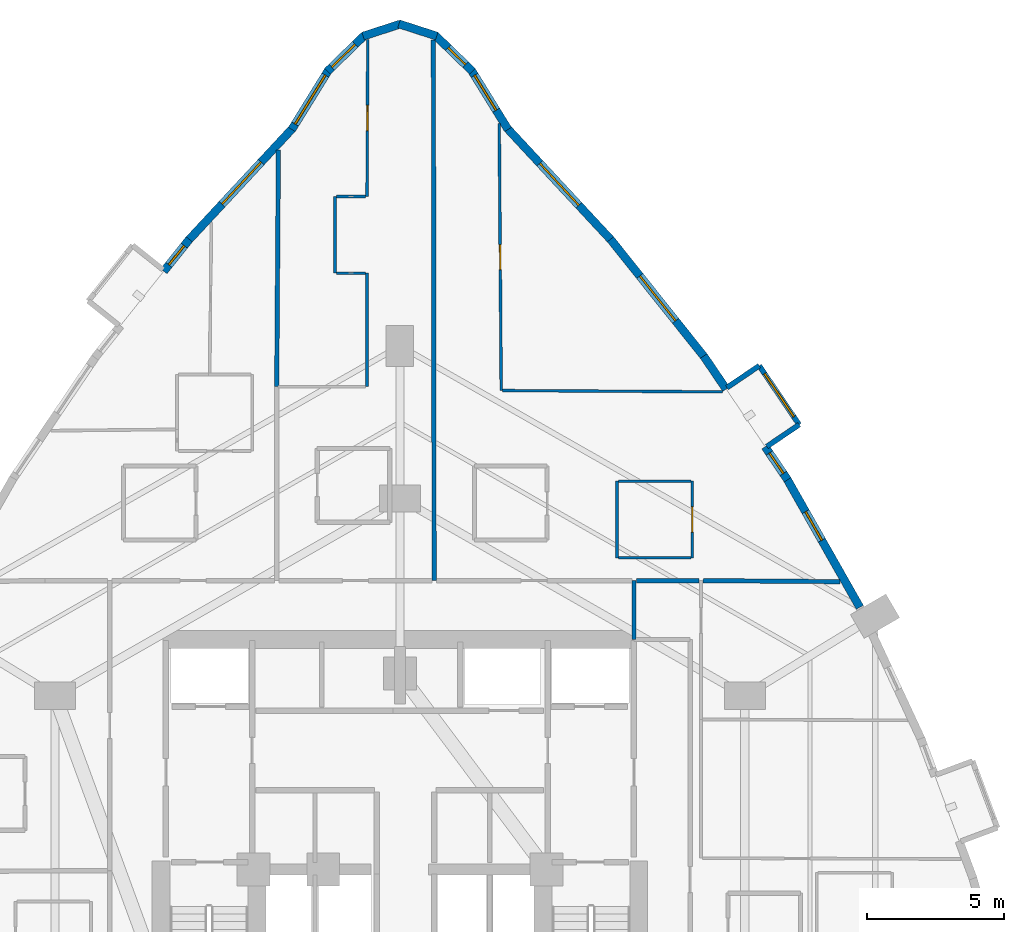
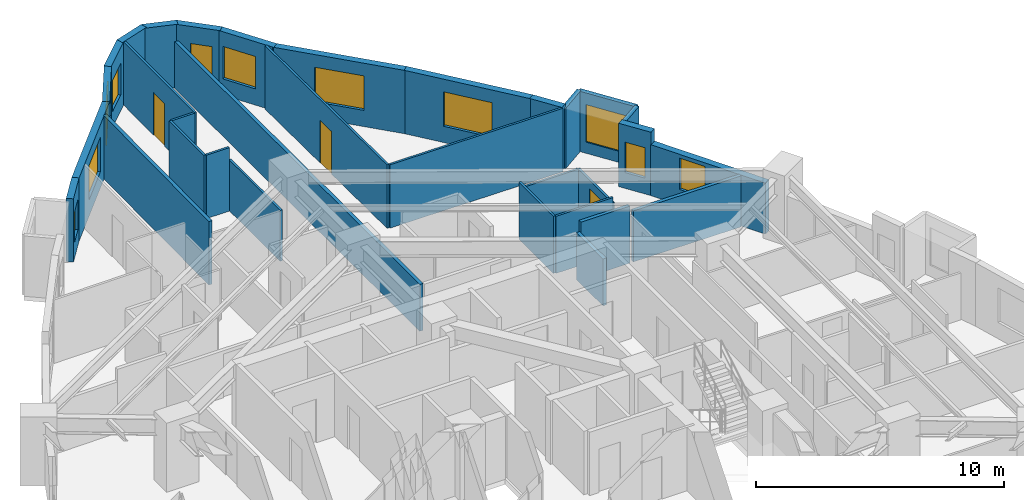
# One storey, part 14 of 16: 32 walls, 11 windows, 3 doors, 14 openings.
"""IFC4 building model written with IfcOpenShell, lengths in metres."""

from ifc_helpers import new_model, si_unit, direction, frame, frame_2d, origin, place, context, subcontext, project, spatial, rectangle, extrude, material, layer, layer_set, type_object, element, fill, save


model = new_model("IFC4")

# Units and contexts
model_context = context("Model", 3, precision=1e-05, world=origin(), true_north=direction((0.0, 1.0)))
body_context = subcontext(model_context, "Body", "Model", "MODEL_VIEW")
ifc_project = project(units=[si_unit("LENGTHUNIT", "METRE"), si_unit("AREAUNIT", "SQUARE_METRE"), si_unit("VOLUMEUNIT", "CUBIC_METRE"), si_unit("PLANEANGLEUNIT", "RADIAN"), si_unit("MASSUNIT", "GRAM", prefix="KILO")], contexts=[model_context])

# Site, building, storey
site_placement = place(None, origin())
site = spatial("IfcSite", under=ifc_project, at=site_placement, CompositionType="ELEMENT")
building_placement = place(site_placement, origin())
building = spatial("IfcBuilding", under=site, at=building_placement, Name="Miruveldt Soraemaru", CompositionType="ELEMENT")
storey_placement = place(building_placement, frame((0.0, 0.0, 42.800048828125)))
storey = spatial("IfcBuildingStorey", under=building, at=storey_placement, Name="L11", CompositionType="ELEMENT", Elevation=42.800048828125)

# Walls
ifc_material_1 = material(Name="White powder-coated aluminium EN AW-6060 T6", Category="aluminium")
ifc_layer_1 = layer(ifc_material_1, 0.18994140625, Name="White powder-coated aluminium EN AW-6060 T6", Category="aluminium")
ifc_layer_set_1 = layer_set([ifc_layer_1], Name="White powder-coated aluminium EN AW-6060 T6")
wall_type_1 = type_object("IfcWallType", Name="WALL-BAY-ALU190", PredefinedType="SOLIDWALL", material=ifc_layer_set_1)
wall_1_placement = place(storey_placement, frame((57.40478515625, 59.497314453125, 0.0), z_axis=(0.0, 0.0, 1.0), x_axis=(0.82794178844, 0.560814046681, 0.0)))
element("IfcWall", 1, at=wall_1_placement, inside=storey, type_object=wall_type_1, Name="L11 Bay Window Side Cheek 5L", PredefinedType="SOLIDWALL", context=body_context, shape_type="SweptSolid", body=[
    extrude(rectangle(XDim=1.4248046875, YDim=0.18994140625, at=frame_2d((0.71240234375, 0.0))), origin(), (0.0, 0.0, 1.0), 2.974853515625),
])
wall_2_placement = place(storey_placement, frame((57.12646484375, 62.44921875, 0.0), z_axis=(0.0, 0.0, 1.0), x_axis=(-0.827916124573, -0.56085193293, 0.0)))
element("IfcWall", 2, at=wall_2_placement, inside=storey, type_object=wall_type_1, Name="L11 Bay Window Side Cheek 5R", PredefinedType="SOLIDWALL", context=body_context, shape_type="SweptSolid", body=[
    extrude(rectangle(XDim=1.42529296875, YDim=0.18994140625, at=frame_2d((0.712646484375, 0.0))), origin(), (0.0, 0.0, 1.0), 2.974853515625),
])

# Wall, opening, window
wall_3_placement = place(storey_placement, frame((58.58447265625, 60.29638671875, 0.0), z_axis=(0.0, 0.0, 1.0), x_axis=(-0.560752637113, 0.827983381458, 0.0)))
wall_3 = element("IfcWall", 3, at=wall_3_placement, inside=storey, type_object=wall_type_1, Name="L11 Bay Window Front Frame 5", PredefinedType="SOLIDWALL", context=body_context, shape_type="SweptSolid", body=[
    extrude(rectangle(XDim=2.60009765625, YDim=0.18994140625, at=frame_2d((1.300048828125, 0.0))), origin(), (0.0, 0.0, 1.0), 2.974853515625),
])
opening_1_placement = place(wall_3_placement, frame((0.35009765625, 0.0, 0.550048828125)))
opening_1 = element("IfcOpeningElement", 4, at=opening_1_placement, cuts=wall_3, Name="Opening WN-6", PredefinedType="OPENING", context=body_context, shape_type="SweptSolid", body=[
    extrude(rectangle(XDim=1.89990234375, YDim=1.85009765625, at=frame_2d((0.949951171875, 0.925048828125))), frame((0.0, 0.10498046875, 0.0), z_axis=(0.0, -1.0, 0.0), x_axis=(1.0, 0.0, 0.0)), (0.0, 0.0, 1.0), 0.2099609375),
])
ifc_material_2 = material(Name="Triple low-e insulated glazing", Category="glass")
window_type_1 = type_object("IfcWindowType", Name="WIN-BAYW-1900x1850", PartitioningType="SINGLE_PANEL", PredefinedType="WINDOW", material=ifc_material_2)
window_1_placement = place(opening_1_placement, origin())
window_1 = element("IfcWindow", 5, at=window_1_placement, inside=storey, type_object=window_type_1, Name="L11 Projecting Bay Window 5", OverallHeight=1.85009765625, OverallWidth=1.89990234375, PartitioningType="SINGLE_PANEL", PredefinedType="WINDOW", context=body_context, shape_type="SweptSolid", body=[
    extrude(rectangle(XDim=1.89990234375, YDim=1.85009765625, at=frame_2d((0.949951171875, 0.925048828125))), frame((0.0, 0.030029296875, 0.0), z_axis=(0.0, -1.0, 0.0), x_axis=(1.0, 0.0, 0.0)), (0.0, 0.0, 1.0), 0.06005859375),
])
fill(opening_1, window_1)

ifc_material_3 = material(Name="Precast concrete C45/55 (45 MPa)", Category="concrete")
ifc_layer_2 = layer(ifc_material_3, 0.300048828125, Name="Precast concrete C45/55 (45 MPa)", Category="concrete")
ifc_layer_set_2 = layer_set([ifc_layer_2], Name="Precast concrete C45/55 (45 MPa)")
wall_type_2 = type_object("IfcWallType", Name="WALL-EXT-PC300", PredefinedType="SOLIDWALL", material=ifc_layer_set_2)
wall_4_placement = place(storey_placement, frame((47.95068359375, 71.07958984375, 0.0), z_axis=(0.0, 0.0, 1.0), x_axis=(-0.526052747908, 0.850451942451, 0.0)))
wall_4 = element("IfcWall", 6, at=wall_4_placement, inside=storey, type_object=wall_type_2, Name="L11 Precast Concrete Facade Wall 1", PredefinedType="SOLIDWALL", context=body_context, shape_type="SweptSolid", body=[
    extrude(rectangle(XDim=2.561767578125, YDim=0.300048828125, at=frame_2d((1.28076171875, 0.0))), origin(), (0.0, 0.0, 1.0), 3.125),
])
opening_2_placement = place(wall_4_placement, frame((0.824951171875, 0.0, 0.800048828125)))
opening_2 = element("IfcOpeningElement", 7, at=opening_2_placement, cuts=wall_4, Name="Opening WN-3", PredefinedType="OPENING", context=body_context, shape_type="SweptSolid", body=[
    extrude(rectangle(XDim=1.5, YDim=1.60009765625, at=frame_2d((0.75, 0.800048828125))), frame((0.0, 0.16015625, 0.0), z_axis=(0.0, -1.0, 0.0), x_axis=(1.0, 0.0, 0.0)), (0.0, 0.0, 1.0), 0.320068359375),
])
window_type_2 = type_object("IfcWindowType", Name="WIN-PUNCH-1500x1600", PartitioningType="SINGLE_PANEL", PredefinedType="WINDOW", material=ifc_material_2)
window_2_placement = place(opening_2_placement, origin())
window_2 = element("IfcWindow", 8, at=window_2_placement, inside=storey, type_object=window_type_2, Name="L11 Punched Triple-Glazed Window 01.1", OverallHeight=1.60009765625, OverallWidth=1.5, PartitioningType="SINGLE_PANEL", PredefinedType="WINDOW", context=body_context, shape_type="SweptSolid", body=[
    extrude(rectangle(XDim=1.5, YDim=1.60009765625, at=frame_2d((0.75, 0.800048828125))), frame((0.0, 0.030029296875, 0.0), z_axis=(0.0, -1.0, 0.0), x_axis=(1.0, 0.0, 0.0)), (0.0, 0.0, 1.0), 0.06005859375),
])
fill(opening_2, window_2)

wall_5_placement = place(storey_placement, frame((46.646484375, 73.2041015625, 0.0), z_axis=(0.0, 0.0, 1.0), x_axis=(-0.717777521306, 0.696272525601, 0.0)))
wall_5 = element("IfcWall", 9, at=wall_5_placement, inside=storey, type_object=wall_type_2, Name="L11 Precast Concrete Facade Wall 2", PredefinedType="SOLIDWALL", context=body_context, shape_type="SweptSolid", body=[
    extrude(rectangle(XDim=1.89599609375, YDim=0.300048828125, at=frame_2d((0.947998046875, 0.0))), origin(), (0.0, 0.0, 1.0), 3.125),
])
opening_3_placement = place(wall_5_placement, frame((0.341064453125, 0.0, 0.780029296875)))
opening_3 = element("IfcOpeningElement", 10, at=opening_3_placement, cuts=wall_5, Name="Opening WN-7", PredefinedType="OPENING", context=body_context, shape_type="SweptSolid", body=[
    extrude(rectangle(XDim=0.89990234375, YDim=1.5, at=frame_2d((0.449951171875, 0.75))), frame((0.0, 0.16015625, 0.0), z_axis=(0.0, -1.0, 0.0), x_axis=(1.0, 0.0, 0.0)), (0.0, 0.0, 1.0), 0.320068359375),
])
window_type_3 = type_object("IfcWindowType", Name="WIN-PUNCH-900x1500", PartitioningType="SINGLE_PANEL", PredefinedType="WINDOW", material=ifc_material_2)
window_3_placement = place(opening_3_placement, origin())
window_3 = element("IfcWindow", 11, at=window_3_placement, inside=storey, type_object=window_type_3, Name="L11 Punched Triple-Glazed Window 02.1", OverallHeight=1.5, OverallWidth=0.89990234375, PartitioningType="SINGLE_PANEL", PredefinedType="WINDOW", context=body_context, shape_type="SweptSolid", body=[
    extrude(rectangle(XDim=0.89990234375, YDim=1.5, at=frame_2d((0.449951171875, 0.75))), frame((0.0, 0.030029296875, 0.0), z_axis=(0.0, -1.0, 0.0), x_axis=(1.0, 0.0, 0.0)), (0.0, 0.0, 1.0), 0.06005859375),
])
fill(opening_3, window_3)

# Walls
for number, where, z_axis, x_axis, name in (
    (12, (45.343994140625, 74.489013671875, 0.0), (0.0, 0.0, 1.0), (-0.951495359019, 0.307663097828, 0.0), "L11 Precast Concrete Facade Wall 3"),
    (13, (44.033203125, 74.934326171875, 0.0), (0.0, 0.0, 1.0), (-0.951495359019, -0.307663097828, 0.0), "L11 Precast Concrete Facade Wall 4"),
):
    element("IfcWall", number, at=place(storey_placement, frame(where, z_axis=z_axis, x_axis=x_axis)), inside=storey, type_object=wall_type_2, Name=name, PredefinedType="SOLIDWALL", context=body_context, shape_type="SweptSolid", body=[
        extrude(rectangle(XDim=1.447509765625, YDim=0.300048828125, at=frame_2d((0.7236328125, 0.0))), origin(), (0.0, 0.0, 1.0), 3.125),
    ])

# Wall, opening, window
wall_6_placement = place(storey_placement, frame((42.71435546875, 74.524169921875, 0.0), z_axis=(0.0, 0.0, 1.0), x_axis=(-0.717777521306, -0.696272525601, 0.0)))
wall_6 = element("IfcWall", 14, at=wall_6_placement, inside=storey, type_object=wall_type_2, Name="L11 Precast Concrete Facade Wall 5", PredefinedType="SOLIDWALL", context=body_context, shape_type="SweptSolid", body=[
    extrude(rectangle(XDim=1.89599609375, YDim=0.300048828125, at=frame_2d((0.947998046875, 0.0))), origin(), (0.0, 0.0, 1.0), 3.125),
])
opening_4_placement = place(wall_6_placement, frame((0.48095703125, 0.0, 0.780029296875)))
opening_4 = element("IfcOpeningElement", 15, at=opening_4_placement, cuts=wall_6, Name="Opening WN-4", PredefinedType="OPENING", context=body_context, shape_type="SweptSolid", body=[
    extrude(rectangle(XDim=1.199951171875, YDim=1.550048828125, at=frame_2d((0.60009765625, 0.77490234375))), frame((0.0, 0.16015625, 0.0), z_axis=(0.0, -1.0, 0.0), x_axis=(1.0, 0.0, 0.0)), (0.0, 0.0, 1.0), 0.320068359375),
])
window_type_4 = type_object("IfcWindowType", Name="WIN-PUNCH-1200x1550", PartitioningType="SINGLE_PANEL", PredefinedType="WINDOW", material=ifc_material_2)
window_4_placement = place(opening_4_placement, origin())
window_4 = element("IfcWindow", 16, at=window_4_placement, inside=storey, type_object=window_type_4, Name="L11 Punched Triple-Glazed Window 05.1", OverallHeight=1.550048828125, OverallWidth=1.199951171875, PartitioningType="SINGLE_PANEL", PredefinedType="WINDOW", context=body_context, shape_type="SweptSolid", body=[
    extrude(rectangle(XDim=1.199951171875, YDim=1.550048828125, at=frame_2d((0.60009765625, 0.77490234375))), frame((0.0, 0.030029296875, 0.0), z_axis=(0.0, -1.0, 0.0), x_axis=(1.0, 0.0, 0.0)), (0.0, 0.0, 1.0), 0.06005859375),
])
fill(opening_4, window_4)

wall_7_placement = place(storey_placement, frame((41.39697265625, 73.25830078125, 0.0), z_axis=(0.0, 0.0, 1.0), x_axis=(-0.526052747908, -0.850451942451, 0.0)))
wall_7 = element("IfcWall", 17, at=wall_7_placement, inside=storey, type_object=wall_type_2, Name="L11 Precast Concrete Facade Wall 6", PredefinedType="SOLIDWALL", context=body_context, shape_type="SweptSolid", body=[
    extrude(rectangle(XDim=2.561767578125, YDim=0.300048828125, at=frame_2d((1.28076171875, 0.0))), origin(), (0.0, 0.0, 1.0), 3.125),
])
opening_5_placement = place(wall_7_placement, frame((0.23095703125, 0.0, 0.800048828125)))
opening_5 = element("IfcOpeningElement", 18, at=opening_5_placement, cuts=wall_7, Name="Opening WN-1", PredefinedType="OPENING", context=body_context, shape_type="SweptSolid", body=[
    extrude(rectangle(XDim=2.10009765625, YDim=1.699951171875, at=frame_2d((1.050048828125, 0.85009765625))), frame((0.0, 0.16015625, 0.0), z_axis=(0.0, -1.0, 0.0), x_axis=(1.0, 0.0, 0.0)), (0.0, 0.0, 1.0), 0.320068359375),
])
window_type_5 = type_object("IfcWindowType", Name="WIN-PUNCH-2100x1700", PartitioningType="SINGLE_PANEL", PredefinedType="WINDOW", material=ifc_material_2)
window_5_placement = place(opening_5_placement, origin())
window_5 = element("IfcWindow", 19, at=window_5_placement, inside=storey, type_object=window_type_5, Name="L11 Punched Triple-Glazed Window 06.1", OverallHeight=1.699951171875, OverallWidth=2.10009765625, PartitioningType="SINGLE_PANEL", PredefinedType="WINDOW", context=body_context, shape_type="SweptSolid", body=[
    extrude(rectangle(XDim=2.10009765625, YDim=1.699951171875, at=frame_2d((1.050048828125, 0.85009765625))), frame((0.0, 0.030029296875, 0.0), z_axis=(0.0, -1.0, 0.0), x_axis=(1.0, 0.0, 0.0)), (0.0, 0.0, 1.0), 0.06005859375),
])
fill(opening_5, window_5)

wall_8_placement = place(storey_placement, frame((40.091552734375, 71.135009765625, 0.0), z_axis=(0.0, 0.0, 1.0), x_axis=(-0.680885361374, -0.732390008579, 0.0)))
wall_8 = element("IfcWall", 20, at=wall_8_placement, inside=storey, type_object=wall_type_2, Name="L11 Precast Concrete Facade Wall 7", PredefinedType="SOLIDWALL", context=body_context, shape_type="SweptSolid", body=[
    extrude(rectangle(XDim=5.62646484375, YDim=0.300048828125, at=frame_2d((2.813232421875, 0.0))), origin(), (0.0, 0.0, 1.0), 3.125),
])
opening_6_placement = place(wall_8_placement, frame((1.7041015625, 0.0, 0.800048828125)))
opening_6 = element("IfcOpeningElement", 21, at=opening_6_placement, cuts=wall_8, Name="Opening WN-1", PredefinedType="OPENING", context=body_context, shape_type="SweptSolid", body=[
    extrude(rectangle(XDim=2.10009765625, YDim=1.699951171875, at=frame_2d((1.050048828125, 0.85009765625))), frame((0.0, 0.16015625, 0.0), z_axis=(0.0, -1.0, 0.0), x_axis=(1.0, 0.0, 0.0)), (0.0, 0.0, 1.0), 0.320068359375),
])
window_6_placement = place(opening_6_placement, origin())
window_6 = element("IfcWindow", 22, at=window_6_placement, inside=storey, type_object=window_type_5, Name="L11 Punched Triple-Glazed Window 07.1", OverallHeight=1.699951171875, OverallWidth=2.10009765625, PartitioningType="SINGLE_PANEL", PredefinedType="WINDOW", context=body_context, shape_type="SweptSolid", body=[
    extrude(rectangle(XDim=2.10009765625, YDim=1.699951171875, at=frame_2d((1.050048828125, 0.85009765625))), frame((0.0, 0.030029296875, 0.0), z_axis=(0.0, -1.0, 0.0), x_axis=(1.0, 0.0, 0.0)), (0.0, 0.0, 1.0), 0.06005859375),
])
fill(opening_6, window_6)

wall_9_placement = place(storey_placement, frame((36.305908203125, 67.067138671875, 0.0), z_axis=(0.0, 0.0, 1.0), x_axis=(-0.623458304624, -0.781856599637, 0.0)))
wall_9 = element("IfcWall", 23, at=wall_9_placement, inside=storey, type_object=wall_type_2, Name="L11 Precast Pier Wall 8A", PredefinedType="SOLIDWALL", context=body_context, shape_type="SweptSolid", body=[
    extrude(rectangle(XDim=1.493408203125, YDim=0.300048828125, at=frame_2d((0.74658203125, 0.0))), origin(), (0.0, 0.0, 1.0), 3.125),
])
opening_7_placement = place(wall_9_placement, frame((0.297119140625, 0.0, 0.780029296875)))
opening_7 = element("IfcOpeningElement", 24, at=opening_7_placement, cuts=wall_9, Name="Opening WN-7", PredefinedType="OPENING", context=body_context, shape_type="SweptSolid", body=[
    extrude(rectangle(XDim=0.89990234375, YDim=1.5, at=frame_2d((0.449951171875, 0.75))), frame((0.0, 0.16015625, 0.0), z_axis=(0.0, -1.0, 0.0), x_axis=(1.0, 0.0, 0.0)), (0.0, 0.0, 1.0), 0.320068359375),
])
window_7_placement = place(opening_7_placement, origin())
window_7 = element("IfcWindow", 25, at=window_7_placement, inside=storey, type_object=window_type_3, Name="L11 Punched Triple-Glazed Window 08A.1", OverallHeight=1.5, OverallWidth=0.89990234375, PartitioningType="SINGLE_PANEL", PredefinedType="WINDOW", context=body_context, shape_type="SweptSolid", body=[
    extrude(rectangle(XDim=0.89990234375, YDim=1.5, at=frame_2d((0.449951171875, 0.75))), frame((0.0, 0.030029296875, 0.0), z_axis=(0.0, -1.0, 0.0), x_axis=(1.0, 0.0, 0.0)), (0.0, 0.0, 1.0), 0.06005859375),
])
fill(opening_7, window_7)

wall_10_placement = place(storey_placement, frame((60.80078125, 53.623291015625, 0.0), z_axis=(0.0, 0.0, 1.0), x_axis=(-0.493383808339, 0.869811713918, 0.0)))
wall_10 = element("IfcWall", 26, at=wall_10_placement, inside=storey, type_object=wall_type_2, Name="L11 Precast Concrete Facade Wall 39", PredefinedType="SOLIDWALL", context=body_context, shape_type="SweptSolid", body=[
    extrude(rectangle(XDim=5.42529296875, YDim=0.300048828125, at=frame_2d((2.712646484375, 0.0))), origin(), (0.0, 0.0, 1.0), 2.512939453125),
])
opening_8_placement = place(wall_10_placement, frame((2.81689453125, 0.0, 0.780029296875)))
opening_8 = element("IfcOpeningElement", 27, at=opening_8_placement, cuts=wall_10, Name="Opening WN-4", PredefinedType="OPENING", context=body_context, shape_type="SweptSolid", body=[
    extrude(rectangle(XDim=1.199951171875, YDim=1.550048828125, at=frame_2d((0.60009765625, 0.77490234375))), frame((0.0, 0.16015625, 0.0), z_axis=(0.0, -1.0, 0.0), x_axis=(1.0, 0.0, 0.0)), (0.0, 0.0, 1.0), 0.320068359375),
])
window_8_placement = place(opening_8_placement, origin())
window_8 = element("IfcWindow", 28, at=window_8_placement, inside=storey, type_object=window_type_4, Name="L11 Punched Triple-Glazed Window 39.1", OverallHeight=1.550048828125, OverallWidth=1.199951171875, PartitioningType="SINGLE_PANEL", PredefinedType="WINDOW", context=body_context, shape_type="SweptSolid", body=[
    extrude(rectangle(XDim=1.199951171875, YDim=1.550048828125, at=frame_2d((0.60009765625, 0.77490234375))), frame((0.0, 0.030029296875, 0.0), z_axis=(0.0, -1.0, 0.0), x_axis=(1.0, 0.0, 0.0)), (0.0, 0.0, 1.0), 0.06005859375),
])
fill(opening_8, window_8)

wall_11_placement = place(storey_placement, frame((58.160888671875, 58.28271484375, 0.0), z_axis=(0.0, 0.0, 1.0), x_axis=(-0.560822256603, 0.827936227314, 0.0)))
wall_11 = element("IfcWall", 29, at=wall_11_placement, inside=storey, type_object=wall_type_2, Name="L11 Precast Pier Wall 40A", PredefinedType="SOLIDWALL", context=body_context, shape_type="SweptSolid", body=[
    extrude(rectangle(XDim=1.459716796875, YDim=0.300048828125, at=frame_2d((0.72998046875, 0.0))), origin(), (0.0, 0.0, 1.0), 3.125),
])
opening_9_placement = place(wall_11_placement, frame((0.280029296875, 0.0, 0.780029296875)))
opening_9 = element("IfcOpeningElement", 30, at=opening_9_placement, cuts=wall_11, Name="Opening WN-7", PredefinedType="OPENING", context=body_context, shape_type="SweptSolid", body=[
    extrude(rectangle(XDim=0.89990234375, YDim=1.5, at=frame_2d((0.449951171875, 0.75))), frame((0.0, 0.16015625, 0.0), z_axis=(0.0, -1.0, 0.0), x_axis=(1.0, 0.0, 0.0)), (0.0, 0.0, 1.0), 0.320068359375),
])
window_9_placement = place(opening_9_placement, origin())
window_9 = element("IfcWindow", 31, at=window_9_placement, inside=storey, type_object=window_type_3, Name="L11 Punched Triple-Glazed Window 40A.1", OverallHeight=1.5, OverallWidth=0.89990234375, PartitioningType="SINGLE_PANEL", PredefinedType="WINDOW", context=body_context, shape_type="SweptSolid", body=[
    extrude(rectangle(XDim=0.89990234375, YDim=1.5, at=frame_2d((0.449951171875, 0.75))), frame((0.0, 0.030029296875, 0.0), z_axis=(0.0, -1.0, 0.0), x_axis=(1.0, 0.0, 0.0)), (0.0, 0.0, 1.0), 0.06005859375),
])
fill(opening_9, window_9)

# Wall
wall_12_placement = place(storey_placement, frame((55.91796875, 61.59423828125, 0.0), z_axis=(0.0, 0.0, 1.0), x_axis=(-0.560822256603, 0.827936227314, 0.0)))
element("IfcWall", 32, at=wall_12_placement, inside=storey, type_object=wall_type_2, Name="L11 Precast Pier Wall 40B", PredefinedType="SOLIDWALL", context=body_context, shape_type="SweptSolid", body=[
    extrude(rectangle(XDim=1.459716796875, YDim=0.300048828125, at=frame_2d((0.72998046875, 0.0))), origin(), (0.0, 0.0, 1.0), 3.125),
])

# Wall, opening, window
wall_13_placement = place(storey_placement, frame((55.140625, 62.746337890625, 0.0), z_axis=(0.0, 0.0, 1.0), x_axis=(-0.623579331228, 0.781760076792, 0.0)))
wall_13 = element("IfcWall", 33, at=wall_13_placement, inside=storey, type_object=wall_type_2, Name="L11 Precast Concrete Facade Wall 41", PredefinedType="SOLIDWALL", context=body_context, shape_type="SweptSolid", body=[
    extrude(rectangle(XDim=5.527099609375, YDim=0.300048828125, at=frame_2d((2.763671875, 0.0))), origin(), (0.0, 0.0, 1.0), 3.125),
])
opening_10_placement = place(wall_13_placement, frame((1.714111328125, 0.0, 0.800048828125)))
opening_10 = element("IfcOpeningElement", 34, at=opening_10_placement, cuts=wall_13, Name="Opening WN-1", PredefinedType="OPENING", context=body_context, shape_type="SweptSolid", body=[
    extrude(rectangle(XDim=2.10009765625, YDim=1.699951171875, at=frame_2d((1.050048828125, 0.85009765625))), frame((0.0, 0.16015625, 0.0), z_axis=(0.0, -1.0, 0.0), x_axis=(1.0, 0.0, 0.0)), (0.0, 0.0, 1.0), 0.320068359375),
])
window_10_placement = place(opening_10_placement, origin())
window_10 = element("IfcWindow", 35, at=window_10_placement, inside=storey, type_object=window_type_5, Name="L11 Punched Triple-Glazed Window 41.1", OverallHeight=1.699951171875, OverallWidth=2.10009765625, PartitioningType="SINGLE_PANEL", PredefinedType="WINDOW", context=body_context, shape_type="SweptSolid", body=[
    extrude(rectangle(XDim=2.10009765625, YDim=1.699951171875, at=frame_2d((1.050048828125, 0.85009765625))), frame((0.0, 0.030029296875, 0.0), z_axis=(0.0, -1.0, 0.0), x_axis=(1.0, 0.0, 0.0)), (0.0, 0.0, 1.0), 0.06005859375),
])
fill(opening_10, window_10)

wall_14_placement = place(storey_placement, frame((51.739501953125, 67.01416015625, 0.0), z_axis=(0.0, 0.0, 1.0), x_axis=(-0.680885361374, 0.732390008579, 0.0)))
wall_14 = element("IfcWall", 36, at=wall_14_placement, inside=storey, type_object=wall_type_2, Name="L11 Precast Concrete Facade Wall 42", PredefinedType="SOLIDWALL", context=body_context, shape_type="SweptSolid", body=[
    extrude(rectangle(XDim=5.62646484375, YDim=0.300048828125, at=frame_2d((2.813232421875, 0.0))), origin(), (0.0, 0.0, 1.0), 3.125),
])
opening_11_placement = place(wall_14_placement, frame((1.762939453125, 0.0, 0.800048828125)))
opening_11 = element("IfcOpeningElement", 37, at=opening_11_placement, cuts=wall_14, Name="Opening WN-1", PredefinedType="OPENING", context=body_context, shape_type="SweptSolid", body=[
    extrude(rectangle(XDim=2.10009765625, YDim=1.699951171875, at=frame_2d((1.050048828125, 0.85009765625))), frame((0.0, 0.16015625, 0.0), z_axis=(0.0, -1.0, 0.0), x_axis=(1.0, 0.0, 0.0)), (0.0, 0.0, 1.0), 0.320068359375),
])
window_11_placement = place(opening_11_placement, origin())
window_11 = element("IfcWindow", 38, at=window_11_placement, inside=storey, type_object=window_type_5, Name="L11 Punched Triple-Glazed Window 42.1", OverallHeight=1.699951171875, OverallWidth=2.10009765625, PartitioningType="SINGLE_PANEL", PredefinedType="WINDOW", context=body_context, shape_type="SweptSolid", body=[
    extrude(rectangle(XDim=2.10009765625, YDim=1.699951171875, at=frame_2d((1.050048828125, 0.85009765625))), frame((0.0, 0.030029296875, 0.0), z_axis=(0.0, -1.0, 0.0), x_axis=(1.0, 0.0, 0.0)), (0.0, 0.0, 1.0), 0.06005859375),
])
fill(opening_11, window_11)

# Wall, opening, door
ifc_material_4 = material(Name="Gypsum plasterboard lining", Category="gypsum")
ifc_layer_3 = layer(ifc_material_4, 0.10009765625, Name="Gypsum plasterboard lining", Category="gypsum")
ifc_layer_set_3 = layer_set([ifc_layer_3], Name="Gypsum plasterboard lining")
wall_type_3 = type_object("IfcWallType", Name="WALL-INT-P100", PredefinedType="PARTITIONING", material=ifc_layer_set_3)
wall_15_placement = place(storey_placement, frame((47.699951171875, 61.5419921875, 0.0), z_axis=(0.0, 0.0, 1.0), x_axis=(-0.007389577794, 0.999972696697, 0.0)))
wall_15 = element("IfcWall", 39, at=wall_15_placement, inside=storey, type_object=wall_type_3, Name="L11 Partition Wall 49", PredefinedType="PARTITIONING", context=body_context, shape_type="SweptSolid", body=[
    extrude(rectangle(XDim=9.746337890625, YDim=0.10009765625, at=frame_2d((4.873046875, 0.0))), origin(), (0.0, 0.0, 1.0), 3.125),
])
opening_12_placement = place(wall_15_placement, frame((4.4130859375, 0.0, 0.0)))
opening_12 = element("IfcOpeningElement", 40, at=opening_12_placement, cuts=wall_15, Name="Opening D3A", PredefinedType="OPENING", context=body_context, shape_type="SweptSolid", body=[
    extrude(rectangle(XDim=0.919921875, YDim=2.10009765625, at=frame_2d((0.4599609375, 1.050048828125))), frame((0.0, 0.06005859375, 0.0), z_axis=(0.0, -1.0, 0.0), x_axis=(1.0, 0.0, 0.0)), (0.0, 0.0, 1.0), 0.1201171875),
])
ifc_material_5 = material(Name="Anodised aluminium EN AW-6063 T6", Category="aluminium")
door_type = type_object("IfcDoorType", Name="DOOR-INT-920", OperationType="NOTDEFINED", PredefinedType="DOOR", material=ifc_material_5)
door_1_placement = place(opening_12_placement, origin())
door_1 = element("IfcDoor", 41, at=door_1_placement, inside=storey, type_object=door_type, Name="L11 Unit 1103 BD1 Door", OperationType="SINGLE_SWING_RIGHT", OverallHeight=2.10009765625, OverallWidth=0.919921875, PredefinedType="DOOR", context=body_context, shape_type="SweptSolid", body=[
    extrude(rectangle(XDim=0.919921875, YDim=2.10009765625, at=frame_2d((0.4599609375, 1.050048828125))), frame((0.0, 0.02490234375, 0.0), z_axis=(0.0, -1.0, 0.0), x_axis=(1.0, 0.0, 0.0)), (0.0, 0.0, 1.0), 0.050048828125),
])
fill(opening_12, door_1)

wall_16_placement = place(storey_placement, frame((42.825927734375, 74.3701171875, 0.0), z_axis=(0.0, 0.0, 1.0), x_axis=(-0.004508290353, -0.999989837607, 0.0)))
wall_16 = element("IfcWall", 42, at=wall_16_placement, inside=storey, type_object=wall_type_3, Name="L11 Partition Wall 33", PredefinedType="PARTITIONING", context=body_context, shape_type="SweptSolid", body=[
    extrude(rectangle(XDim=5.740234375, YDim=0.10009765625, at=frame_2d((2.8701171875, 0.0))), origin(), (0.0, 0.0, 1.0), 3.125),
])
opening_13_placement = place(wall_16_placement, frame((2.409912109375, 0.0, 0.0)))
opening_13 = element("IfcOpeningElement", 43, at=opening_13_placement, cuts=wall_16, Name="Opening D3A", PredefinedType="OPENING", context=body_context, shape_type="SweptSolid", body=[
    extrude(rectangle(XDim=0.919921875, YDim=2.10009765625, at=frame_2d((0.4599609375, 1.050048828125))), frame((0.0, 0.06005859375, 0.0), z_axis=(0.0, -1.0, 0.0), x_axis=(1.0, 0.0, 0.0)), (0.0, 0.0, 1.0), 0.1201171875),
])
door_2_placement = place(opening_13_placement, origin())
door_2 = element("IfcDoor", 44, at=door_2_placement, inside=storey, type_object=door_type, Name="L11 Unit 1102 BD1 Door", OperationType="SINGLE_SWING_RIGHT", OverallHeight=2.10009765625, OverallWidth=0.919921875, PredefinedType="DOOR", context=body_context, shape_type="SweptSolid", body=[
    extrude(rectangle(XDim=0.919921875, YDim=2.10009765625, at=frame_2d((0.4599609375, 1.050048828125))), frame((0.0, 0.02490234375, 0.0), z_axis=(0.0, -1.0, 0.0), x_axis=(1.0, 0.0, 0.0)), (0.0, 0.0, 1.0), 0.050048828125),
])
fill(opening_13, door_2)

wall_17_placement = place(storey_placement, frame((54.679931640625, 55.429931640625, 0.0), z_axis=(0.0, 0.0, 1.0), x_axis=(0.0, 1.0, 0.0)))
wall_17 = element("IfcWall", 45, at=wall_17_placement, inside=storey, type_object=wall_type_3, Name="L11 Partition Wall 44", PredefinedType="PARTITIONING", context=body_context, shape_type="SweptSolid", body=[
    extrude(rectangle(XDim=2.800048828125, YDim=0.10009765625, at=frame_2d((1.39990234375, 0.0))), origin(), (0.0, 0.0, 1.0), 2.512939453125),
])
opening_14_placement = place(wall_17_placement, frame((0.93994140625, 0.0, 0.0)))
opening_14 = element("IfcOpeningElement", 46, at=opening_14_placement, cuts=wall_17, Name="Opening D3A", PredefinedType="OPENING", context=body_context, shape_type="SweptSolid", body=[
    extrude(rectangle(XDim=0.919921875, YDim=2.10009765625, at=frame_2d((0.4599609375, 1.050048828125))), frame((0.0, 0.06005859375, 0.0), z_axis=(0.0, -1.0, 0.0), x_axis=(1.0, 0.0, 0.0)), (0.0, 0.0, 1.0), 0.1201171875),
])
door_3_placement = place(opening_14_placement, origin())
door_3 = element("IfcDoor", 47, at=door_3_placement, inside=storey, type_object=door_type, Name="L11 Unit 1103 KIT Door", OperationType="SINGLE_SWING_LEFT", OverallHeight=2.10009765625, OverallWidth=0.919921875, PredefinedType="DOOR", context=body_context, shape_type="SweptSolid", body=[
    extrude(rectangle(XDim=0.919921875, YDim=2.10009765625, at=frame_2d((0.4599609375, 1.050048828125))), frame((0.0, 0.02490234375, 0.0), z_axis=(0.0, -1.0, 0.0), x_axis=(1.0, 0.0, 0.0)), (0.0, 0.0, 1.0), 0.050048828125),
])
fill(opening_14, door_3)

# Walls
wall_18_placement = place(storey_placement, frame((55.785888671875, 61.493896484375, 0.0), z_axis=(0.0, 0.0, 1.0), x_axis=(-0.999982089691, 0.005985005975, 0.0)))
element("IfcWall", 48, at=wall_18_placement, inside=storey, type_object=wall_type_3, Name="L11 Partition Wall 48", PredefinedType="PARTITIONING", context=body_context, shape_type="SweptSolid", body=[
    extrude(rectangle(XDim=8.0361328125, YDim=0.10009765625, at=frame_2d((4.01806640625, 0.0))), origin(), (0.0, 0.0, 1.0), 3.125),
])
wall_19_placement = place(storey_placement, frame((42.800048828125, 65.830078125, 0.0), z_axis=(0.0, 0.0, 1.0), x_axis=(0.0, -1.0, 0.0)))
element("IfcWall", 49, at=wall_19_placement, inside=storey, type_object=wall_type_3, Name="L11 Partition Wall 37", PredefinedType="PARTITIONING", context=body_context, shape_type="SweptSolid", body=[
    extrude(rectangle(XDim=4.14599609375, YDim=0.10009765625, at=frame_2d((2.072998046875, 0.0))), origin(), (0.0, 0.0, 1.0), 2.512939453125),
])
wall_20_placement = place(storey_placement, frame((41.6298828125, 68.6298828125, 0.0), z_axis=(0.0, 0.0, 1.0), x_axis=(0.0, -1.0, 0.0)))
element("IfcWall", 50, at=wall_20_placement, inside=storey, type_object=wall_type_3, Name="L11 Partition Wall 35", PredefinedType="PARTITIONING", context=body_context, shape_type="SweptSolid", body=[
    extrude(rectangle(XDim=2.7998046875, YDim=0.10009765625, at=frame_2d((1.39990234375, 0.0))), origin(), (0.0, 0.0, 1.0), 3.125),
])
wall_21_placement = place(storey_placement, frame((51.929931640625, 58.22998046875, 0.0), z_axis=(0.0, 0.0, 1.0), x_axis=(0.0, -1.0, 0.0)))
element("IfcWall", 51, at=wall_21_placement, inside=storey, type_object=wall_type_3, Name="L11 Partition Wall 46", PredefinedType="PARTITIONING", context=body_context, shape_type="SweptSolid", body=[
    extrude(rectangle(XDim=2.800048828125, YDim=0.10009765625, at=frame_2d((1.39990234375, 0.0))), origin(), (0.0, 0.0, 1.0), 2.81298828125),
])
wall_22_placement = place(storey_placement, frame((54.6298828125, 58.22998046875, 0.0), z_axis=(0.0, 0.0, 1.0), x_axis=(-1.0, 0.0, 0.0)))
element("IfcWall", 52, at=wall_22_placement, inside=storey, type_object=wall_type_3, Name="L11 Partition Wall 45", PredefinedType="PARTITIONING", context=body_context, shape_type="SweptSolid", body=[
    extrude(rectangle(XDim=2.64990234375, YDim=0.10009765625, at=frame_2d((1.324951171875, 0.0))), origin(), (0.0, 0.0, 1.0), 2.512939453125),
])
wall_23_placement = place(storey_placement, frame((51.97998046875, 55.429931640625, 0.0), z_axis=(0.0, 0.0, 1.0), x_axis=(1.0, 0.0, 0.0)))
element("IfcWall", 53, at=wall_23_placement, inside=storey, type_object=wall_type_3, Name="L11 Partition Wall 47", PredefinedType="PARTITIONING", context=body_context, shape_type="SweptSolid", body=[
    extrude(rectangle(XDim=2.64990234375, YDim=0.10009765625, at=frame_2d((1.324951171875, 0.0))), origin(), (0.0, 0.0, 1.0), 2.81298828125),
])
for number, where, z_axis, x_axis, name in (
    (54, (42.75, 68.6298828125, 0.0), (0.0, 0.0, 1.0), (-1.0, 0.0, 0.0), "L11 Partition Wall 34"),
    (55, (41.679931640625, 65.830078125, 0.0), (0.0, 0.0, 1.0), (1.0, 0.0, 0.0), "L11 Partition Wall 36"),
):
    element("IfcWall", number, at=place(storey_placement, frame(where, z_axis=z_axis, x_axis=x_axis)), inside=storey, type_object=wall_type_3, Name=name, PredefinedType="PARTITIONING", context=body_context, shape_type="SweptSolid", body=[
        extrude(rectangle(XDim=1.070068359375, YDim=0.10009765625, at=frame_2d((0.53515625, 0.0))), origin(), (0.0, 0.0, 1.0), 3.125),
    ])
ifc_material_6 = material(Name="Concrete C40/50 (40 MPa)", Category="concrete")
ifc_layer_4 = layer(ifc_material_6, 0.159912109375, Name="Concrete C40/50 (40 MPa)", Category="concrete")
ifc_layer_set_4 = layer_set([ifc_layer_4], Name="Concrete C40/50 (40 MPa)")
wall_type_4 = type_object("IfcWallType", Name="WALL-INT-RC160", PredefinedType="SOLIDWALL", material=ifc_layer_set_4)
wall_24_placement = place(storey_placement, frame((45.25, 54.60302734375, 0.0), z_axis=(0.0, 0.0, 1.0), x_axis=(-0.001371995149, 0.999999058814, 0.0)))
element("IfcWall", 56, at=wall_24_placement, inside=storey, type_object=wall_type_4, Name="L11 Partition Wall 39", PredefinedType="SOLIDWALL", context=body_context, shape_type="SweptSolid", body=[
    extrude(rectangle(XDim=19.751953125, YDim=0.159912109375, at=frame_2d((9.8759765625, 0.0))), origin(), (0.0, 0.0, 1.0), 2.31298828125),
])
wall_25_placement = place(storey_placement, frame((39.5, 61.68408203125, 0.0), z_axis=(0.0, 0.0, 1.0), x_axis=(0.00717799792, 0.999974237841, 0.0)))
element("IfcWall", 57, at=wall_25_placement, inside=storey, type_object=wall_type_4, Name="L11 Partition Wall 24", PredefinedType="SOLIDWALL", context=body_context, shape_type="SweptSolid", body=[
    extrude(rectangle(XDim=8.63916015625, YDim=0.159912109375, at=frame_2d((4.319580078125, 0.0))), origin(), (0.0, 0.0, 1.0), 3.125),
])
wall_26_placement = place(storey_placement, frame((55.080078125, 54.59912109375, 0.0), z_axis=(0.0, 0.0, 1.0), x_axis=(0.999969483819, -0.007812261592, 0.0)))
element("IfcWall", 58, at=wall_26_placement, inside=storey, type_object=wall_type_4, Name="L11 Partition Wall 51", PredefinedType="SOLIDWALL", context=body_context, shape_type="SweptSolid", body=[
    extrude(rectangle(XDim=5.000244140625, YDim=0.159912109375, at=frame_2d((2.5, 0.0))), origin(), (0.0, 0.0, 1.0), 2.512939453125),
])
wall_27_placement = place(storey_placement, frame((52.633056640625, 54.60009765625, 0.0), z_axis=(0.0, 0.0, 1.0), x_axis=(1.0, 0.0, 0.0)))
element("IfcWall", 59, at=wall_27_placement, inside=storey, type_object=wall_type_4, Name="L11 Partition Wall 50", PredefinedType="SOLIDWALL", context=body_context, shape_type="SweptSolid", body=[
    extrude(rectangle(XDim=2.286865234375, YDim=0.159912109375, at=frame_2d((1.1435546875, 0.0))), origin(), (0.0, 0.0, 1.0), 2.81298828125),
])
wall_28_placement = place(storey_placement, frame((52.550048828125, 52.449951171875, 0.0), z_axis=(0.0, 0.0, 1.0), x_axis=(0.0, 1.0, 0.0)))
element("IfcWall", 60, at=wall_28_placement, inside=storey, type_object=wall_type_4, Name="L11 Partition Wall 8", PredefinedType="SOLIDWALL", context=body_context, shape_type="SweptSolid", body=[
    extrude(rectangle(XDim=2.14697265625, YDim=0.159912109375, at=frame_2d((1.073486328125, 0.0))), origin(), (0.0, 0.0, 1.0), 2.31298828125),
])

save(model, "model.ifc")
